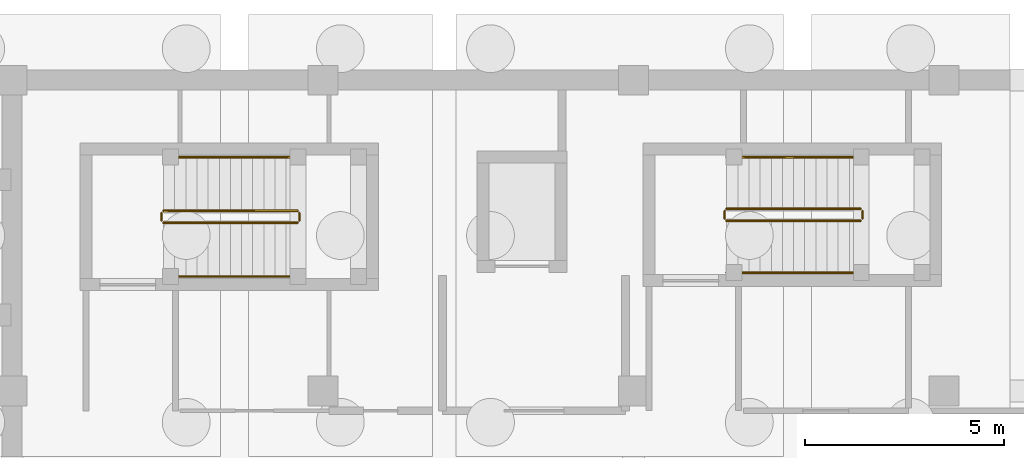
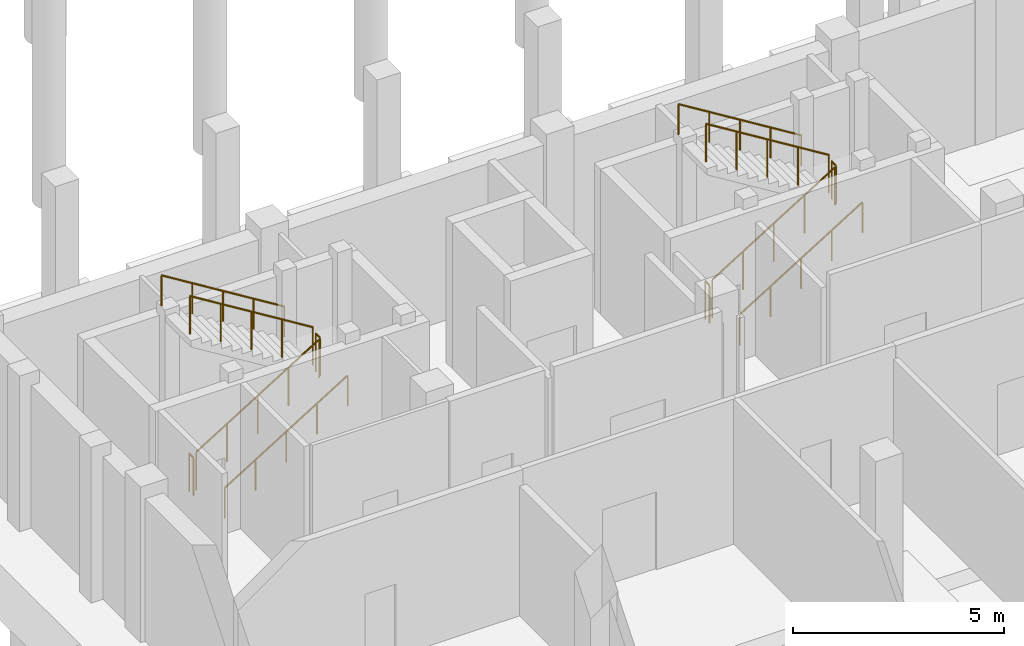
# One storey, part 22 of 24: 12 railings.
"""IFC4 building model written with IfcOpenShell, lengths in metres."""

import ifcopenshell
import ifcopenshell.guid

model = None  # the IFC model being written
_history = None  # IfcOwnerHistory: only IFC2X3 demands one
_inside = {}  # id of a spatial element -> (the spatial element, [elements in it])
_under = {}  # id of a project, library or spatial element -> (it, [spatial elements below it])
_declared = {}  # id of a project -> (the project, [libraries it declares])
_typed = {}  # id of a type object -> (the type object, [elements of that type])
_made_of = {}  # id of a material, layer set ... -> (it, [elements and type objects made of it])


def new_model(schema):
    """Start an empty IFC model of exactly this schema.

    Asked for "IFC4X3", IfcOpenShell would pick the latest addendum, in which some entities
    have other attributes; the version numbers below select the first issue.
    IFC2X3 requires an IfcOwnerHistory on every rooted entity: one is made here for all.
    """
    global model, _history
    if schema == "IFC4X3":
        model = ifcopenshell.file(schema_version=(4, 3, 0, 0))
    else:
        model = ifcopenshell.file(schema=schema)
    _inside.clear()
    _under.clear()
    _declared.clear()
    _typed.clear()
    _made_of.clear()
    _history = None
    if model.schema == "IFC2X3":
        org = make("IfcOrganization", Name="unknown")
        user = make(
            "IfcPersonAndOrganization",
            ThePerson=make("IfcPerson", FamilyName="unknown"),
            TheOrganization=org,
        )
        app = make(
            "IfcApplication",
            ApplicationDeveloper=org,
            Version="unknown",
            ApplicationFullName="unknown",
            ApplicationIdentifier="unknown",
        )
        _history = make(
            "IfcOwnerHistory",
            OwningUser=user,
            OwningApplication=app,
            ChangeAction="ADDED",
            CreationDate=0,
        )
    return model


def make(cls, **values):
    """One entity of the class cls with the attributes given. An attribute that is None is left unset."""
    return model.create_entity(
        cls, **{name: value for name, value in values.items() if value is not None}
    )


def rooted(cls, **values):
    """An entity with a GlobalId (a new one), such as an element, a storey or a relation."""
    return make(cls, GlobalId=ifcopenshell.guid.new(), OwnerHistory=_history, **values)


def si_unit(unit_type, name, prefix=None):
    """IfcSIUnit, for example si_unit("LENGTHUNIT", "METRE", prefix="MILLI")."""
    return make("IfcSIUnit", UnitType=unit_type, Prefix=prefix, Name=name)


def assignment(units):
    """IfcUnitAssignment: the units of a project."""
    return None if units is None else make("IfcUnitAssignment", Units=units)


def point(xyz):
    """IfcCartesianPoint."""
    return None if xyz is None else make("IfcCartesianPoint", Coordinates=xyz)


def direction(xyz):
    """IfcDirection."""
    return None if xyz is None else make("IfcDirection", DirectionRatios=xyz)


def frame(location, z_axis=None, x_axis=None):
    """IfcAxis2Placement3D, a coordinate frame: its origin and axes. An axis left out is left unset."""
    return make(
        "IfcAxis2Placement3D",
        Location=point(location),
        Axis=direction(z_axis),
        RefDirection=direction(x_axis),
    )


def frame_2d(location, x_axis=None):
    """IfcAxis2Placement2D, a coordinate frame in the plane: its origin and x axis."""
    return make(
        "IfcAxis2Placement2D", Location=point(location), RefDirection=direction(x_axis)
    )


def origin():
    """The frame at (0, 0, 0) with its axes left unset."""
    return frame((0.0, 0.0, 0.0))


def origin_2d():
    """The frame at (0, 0) in the plane with its x axis left unset."""
    return frame_2d((0.0, 0.0))


def place(relative_to, where):
    """IfcLocalPlacement: puts the frame where relative to a parent placement (None: the world)."""
    return make(
        "IfcLocalPlacement", PlacementRelTo=relative_to, RelativePlacement=where
    )


def context(
    kind, dimensions, precision=None, world=None, true_north=None, identifier=None
):
    """IfcGeometricRepresentationContext, for example the 3D "Model" context."""
    return make(
        "IfcGeometricRepresentationContext",
        ContextIdentifier=identifier,
        ContextType=kind,
        CoordinateSpaceDimension=dimensions,
        Precision=precision,
        WorldCoordinateSystem=world,
        TrueNorth=true_north,
    )


def subcontext(parent, identifier, kind, view, scale=None):
    """IfcGeometricRepresentationSubContext, for example "Body" below "Model"."""
    return make(
        "IfcGeometricRepresentationSubContext",
        ContextIdentifier=identifier,
        ContextType=kind,
        ParentContext=parent,
        TargetScale=scale,
        TargetView=view,
    )


def project(units=None, contexts=None):
    """IfcProject with its units and contexts."""
    return rooted(
        "IfcProject",
        Name="project",
        RepresentationContexts=contexts,
        UnitsInContext=assignment(units),
    )


def spatial(cls, under=None, at=None, **own):
    """A site, building, storey or space (cls), placed at a placement, below another one or the project."""
    s = rooted(cls, ObjectPlacement=at, **own)
    if under is not None:
        _under.setdefault(under.id(), (under, []))[1].append(s)
    return s


def profile(cls, at=None, kind="AREA", **sizes):
    """A parametric profile (cls). Its sizes go by their IFC names, for example OverallWidth=200.0."""
    return make(cls, ProfileType=kind, Position=at, **sizes)


def circle(**sizes):
    """IfcCircleProfileDef."""
    return profile("IfcCircleProfileDef", **sizes)


def extrude(swept, where, along, depth):
    """IfcExtrudedAreaSolid: the profile swept, set in the frame where, extruded along a direction by depth."""
    return make(
        "IfcExtrudedAreaSolid",
        SweptArea=swept,
        Position=where,
        ExtrudedDirection=direction(along),
        Depth=depth,
    )


def shape(context_of_items, identifier, shape_type, items):
    """IfcShapeRepresentation: the items that make up one representation, for example the "Body"."""
    return make(
        "IfcShapeRepresentation",
        ContextOfItems=context_of_items,
        RepresentationIdentifier=identifier,
        RepresentationType=shape_type,
        Items=items,
    )


def material(Name=None, Category=None):
    """IfcMaterial."""
    return make("IfcMaterial", Name=Name, Category=Category)


def made_of(thing, what):
    """Note that an element or type object is made of a material, layer set ...; save() writes the relation."""
    if what is not None:
        _made_of.setdefault(what.id(), (what, []))[1].append(thing)
    return thing


def type_object(cls, material=None, **own):
    """A type object (cls), such as IfcWallType, which elements share."""
    return made_of(rooted(cls, **own), material)


def element(
    cls,
    number,
    at=None,
    inside=None,
    cuts=None,
    type_object=None,
    material=None,
    context=None,
    identifier="Body",
    shape_type=None,
    held_by="IfcProductDefinitionShape",
    body=None,
    shapes=None,
    **own,
):
    """One element of the class cls, such as IfcWall. Its Tag is "e" and its number.

    at: its placement. inside: the storey or other place that contains it. cuts: it is an
    opening in that element (IfcRelVoidsElement). A single representation is given by context,
    identifier, shape_type and body (its items); several are given by shapes. held_by: the class
    of the entity that holds the representations. save() writes the other relations.
    """
    e = rooted(cls, Tag="e%d" % number, ObjectPlacement=at, **own)
    if body is not None:
        shapes = [shape(context, identifier, shape_type, body)]
    if shapes is not None:
        e.Representation = make(held_by, Representations=shapes)
    if inside is not None:
        _inside.setdefault(inside.id(), (inside, []))[1].append(e)
    if cuts is not None:
        rooted(
            "IfcRelVoidsElement", RelatingBuildingElement=cuts, RelatedOpeningElement=e
        )
    if type_object is not None:
        _typed.setdefault(type_object.id(), (type_object, []))[1].append(e)
    return made_of(e, material)


def aggregate(whole, parts):
    """IfcRelAggregates: a whole, such as a stair, and the parts it consists of."""
    return rooted("IfcRelAggregates", RelatingObject=whole, RelatedObjects=parts)


def save(model, path):
    """Write the relations noted so far, then the file.

    IfcRelAggregates (storeys below a building ...), IfcRelContainedInSpatialStructure (elements
    in a storey), IfcRelDefinesByType, IfcRelAssociatesMaterial and IfcRelDeclares: one each for
    every whole, place, type object, material and project.
    """
    for whole, parts in _under.values():
        aggregate(whole, parts)
    for where, things in _inside.values():
        rooted(
            "IfcRelContainedInSpatialStructure",
            RelatedElements=things,
            RelatingStructure=where,
        )
    for kind, things in _typed.values():
        rooted("IfcRelDefinesByType", RelatedObjects=things, RelatingType=kind)
    for what, things in _made_of.values():
        rooted("IfcRelAssociatesMaterial", RelatedObjects=things, RelatingMaterial=what)
    for by, libraries in _declared.values():
        rooted("IfcRelDeclares", RelatingContext=by, RelatedDefinitions=libraries)
    model.write(path)


model = new_model("IFC4")

# Units and contexts
model_context = context("Model", 3, precision=1e-05, world=origin(), true_north=direction((0.0, 1.0)))
body_context = subcontext(model_context, "Body", "Model", "MODEL_VIEW")
ifc_project = project(units=[si_unit("LENGTHUNIT", "METRE"), si_unit("AREAUNIT", "SQUARE_METRE"), si_unit("VOLUMEUNIT", "CUBIC_METRE"), si_unit("PLANEANGLEUNIT", "RADIAN"), si_unit("MASSUNIT", "GRAM", prefix="KILO")], contexts=[model_context])

# Site, building, storey
site_placement = place(None, origin())
site = spatial("IfcSite", under=ifc_project, at=site_placement, CompositionType="ELEMENT")
building_placement = place(site_placement, origin())
building = spatial("IfcBuilding", under=site, at=building_placement, Name="Celorna Specialist Clinic", CompositionType="ELEMENT")
storey_placement = place(building_placement, frame((0.0, 0.0, -4.5)))
storey = spatial("IfcBuildingStorey", under=building, at=storey_placement, Name="B01", CompositionType="ELEMENT", Elevation=-4.5)

# Railings
ifc_material_1 = material(Name="Powder-coated steel S355", Category="steel")
railing_type_1 = type_object("IfcRailingType", Name="GR-01", PredefinedType="GUARDRAIL", material=ifc_material_1)
railing_1_placement = place(storey_placement, frame((58.39990234375, 39.320068359375, 0.173095703125)))
element("IfcRailing", 1, at=railing_1_placement, inside=storey, type_object=railing_type_1, Name="B01 ST-08 stair guard 1", PredefinedType="GUARDRAIL", context=body_context, shape_type="SweptSolid", body=[
    extrude(circle(Radius=0.02392578125, at=origin_2d()), frame((0.0, 0.0, 1.09619140625), z_axis=(0.850623216509, 0.0, 0.525775754039), x_axis=(0.0, 1.0, 0.0)), (0.0, 0.0, 1.0), 3.9501953125),
    extrude(circle(Radius=0.02099609375, at=origin_2d()), origin(), (0.0, 0.0, 1.0), 1.072021484375),
    extrude(circle(Radius=0.02099609375, at=origin_2d()), frame((0.840087890625, 0.0, 0.519287109375)), (0.0, 0.0, 1.0), 1.072021484375),
    extrude(circle(Radius=0.02099609375, at=origin_2d()), frame((1.68017578125, 0.0, 1.03857421875)), (0.0, 0.0, 1.0), 1.072021484375),
    extrude(circle(Radius=0.02099609375, at=origin_2d()), frame((2.52001953125, 0.0, 1.5576171875)), (0.0, 0.0, 1.0), 1.072021484375),
    extrude(circle(Radius=0.02099609375, at=origin_2d()), frame((3.360107421875, 0.0, 2.076904296875)), (0.0, 0.0, 1.0), 1.072021484375),
])
railing_2_placement = place(storey_placement, frame((61.81005859375, 39.3701171875, 2.25)))
element("IfcRailing", 2, at=railing_2_placement, inside=storey, type_object=railing_type_1, Name="B01 ST-08 stair guard 2", PredefinedType="GUARDRAIL", context=body_context, shape_type="SweptSolid", body=[
    extrude(circle(Radius=0.02392578125, at=origin_2d()), frame((0.0, 0.0, 1.09619140625), z_axis=(0.0, 1.0, 0.0), x_axis=(-1.0, 0.0, 0.0)), (0.0, 0.0, 1.0), 0.199951171875),
    extrude(circle(Radius=0.02099609375, at=origin_2d()), origin(), (0.0, 0.0, 1.0), 1.072021484375),
    extrude(circle(Radius=0.02099609375, at=origin_2d()), frame((0.0, 0.199951171875, 0.0)), (0.0, 0.0, 1.0), 1.072021484375),
])
railing_3_placement = place(storey_placement, frame((61.760009765625, 39.6201171875, 2.423095703125)))
element("IfcRailing", 3, at=railing_3_placement, inside=storey, type_object=railing_type_1, Name="B01 ST-08 stair guard 3", PredefinedType="GUARDRAIL", context=body_context, shape_type="SweptSolid", body=[
    extrude(circle(Radius=0.02392578125, at=origin_2d()), frame((0.0, 0.0, 1.09619140625), z_axis=(-0.850623216509, 0.0, 0.525775754039), x_axis=(0.0, -1.0, 0.0)), (0.0, 0.0, 1.0), 3.9501953125),
    extrude(circle(Radius=0.02099609375, at=origin_2d()), origin(), (0.0, 0.0, 1.0), 1.072021484375),
    extrude(circle(Radius=0.02099609375, at=origin_2d()), frame((-0.840087890625, 0.0, 0.519287109375)), (0.0, 0.0, 1.0), 1.072021484375),
    extrude(circle(Radius=0.02099609375, at=origin_2d()), frame((-1.68017578125, 0.0, 1.03857421875)), (0.0, 0.0, 1.0), 1.072021484375),
    extrude(circle(Radius=0.02099609375, at=origin_2d()), frame((-2.52001953125, 0.0, 1.5576171875)), (0.0, 0.0, 1.0), 1.072021484375),
    extrude(circle(Radius=0.02099609375, at=origin_2d()), frame((-3.360107421875, 0.0, 2.076904296875)), (0.0, 0.0, 1.0), 1.072021484375),
])
railing_4_placement = place(storey_placement, frame((58.35009765625, 39.3701171875, 0.0)))
element("IfcRailing", 4, at=railing_4_placement, inside=storey, type_object=railing_type_1, Name="B01 ST-08 stair guard 4", PredefinedType="GUARDRAIL", context=body_context, shape_type="SweptSolid", body=[
    extrude(circle(Radius=0.02392578125, at=origin_2d()), frame((0.0, 0.0, 1.09619140625), z_axis=(0.0, 1.0, 0.0), x_axis=(-1.0, 0.0, 0.0)), (0.0, 0.0, 1.0), 0.199951171875),
    extrude(circle(Radius=0.02099609375, at=origin_2d()), origin(), (0.0, 0.0, 1.0), 1.072021484375),
    extrude(circle(Radius=0.02099609375, at=origin_2d()), frame((0.0, 0.199951171875, 0.0)), (0.0, 0.0, 1.0), 1.072021484375),
])
railing_5_placement = place(storey_placement, frame((72.5400390625, 39.3701171875, 0.173095703125)))
element("IfcRailing", 5, at=railing_5_placement, inside=storey, type_object=railing_type_1, Name="B01 ST-09 stair guard 1", PredefinedType="GUARDRAIL", context=body_context, shape_type="SweptSolid", body=[
    extrude(circle(Radius=0.02392578125, at=origin_2d()), frame((0.0, 0.0, 1.09619140625), z_axis=(0.850606129759, 0.0, 0.525803396734), x_axis=(0.0, 1.0, 0.0)), (0.0, 0.0, 1.0), 3.949951171875),
    extrude(circle(Radius=0.02099609375, at=origin_2d()), origin(), (0.0, 0.0, 1.0), 1.072021484375),
    extrude(circle(Radius=0.02099609375, at=origin_2d()), frame((0.83984375, 0.0, 0.519287109375)), (0.0, 0.0, 1.0), 1.072021484375),
    extrude(circle(Radius=0.02099609375, at=origin_2d()), frame((1.679931640625, 0.0, 1.03857421875)), (0.0, 0.0, 1.0), 1.072021484375),
    extrude(circle(Radius=0.02099609375, at=origin_2d()), frame((2.52001953125, 0.0, 1.5576171875)), (0.0, 0.0, 1.0), 1.072021484375),
    extrude(circle(Radius=0.02099609375, at=origin_2d()), frame((3.35986328125, 0.0, 2.076904296875)), (0.0, 0.0, 1.0), 1.072021484375),
])
railing_6_placement = place(storey_placement, frame((75.949951171875, 39.419921875, 2.25)))
element("IfcRailing", 6, at=railing_6_placement, inside=storey, type_object=railing_type_1, Name="B01 ST-09 stair guard 2", PredefinedType="GUARDRAIL", context=body_context, shape_type="SweptSolid", body=[
    extrude(circle(Radius=0.02392578125, at=origin_2d()), frame((0.0, 0.0, 1.09619140625), z_axis=(0.0, 1.0, 0.0), x_axis=(-1.0, 0.0, 0.0)), (0.0, 0.0, 1.0), 0.2001953125),
    extrude(circle(Radius=0.02099609375, at=origin_2d()), origin(), (0.0, 0.0, 1.0), 1.072021484375),
    extrude(circle(Radius=0.02099609375, at=origin_2d()), frame((0.0, 0.2001953125, 0.0)), (0.0, 0.0, 1.0), 1.072021484375),
])
railing_7_placement = place(storey_placement, frame((75.89990234375, 39.669921875, 2.423095703125)))
element("IfcRailing", 7, at=railing_7_placement, inside=storey, type_object=railing_type_1, Name="B01 ST-09 stair guard 3", PredefinedType="GUARDRAIL", context=body_context, shape_type="SweptSolid", body=[
    extrude(circle(Radius=0.02392578125, at=origin_2d()), frame((0.0, 0.0, 1.09619140625), z_axis=(-0.850606129759, 0.0, 0.525803396734), x_axis=(0.0, -1.0, 0.0)), (0.0, 0.0, 1.0), 3.949951171875),
    extrude(circle(Radius=0.02099609375, at=origin_2d()), origin(), (0.0, 0.0, 1.0), 1.072021484375),
    extrude(circle(Radius=0.02099609375, at=origin_2d()), frame((-0.83984375, 0.0, 0.519287109375)), (0.0, 0.0, 1.0), 1.072021484375),
    extrude(circle(Radius=0.02099609375, at=origin_2d()), frame((-1.679931640625, 0.0, 1.03857421875)), (0.0, 0.0, 1.0), 1.072021484375),
    extrude(circle(Radius=0.02099609375, at=origin_2d()), frame((-2.52001953125, 0.0, 1.5576171875)), (0.0, 0.0, 1.0), 1.072021484375),
    extrude(circle(Radius=0.02099609375, at=origin_2d()), frame((-3.35986328125, 0.0, 2.076904296875)), (0.0, 0.0, 1.0), 1.072021484375),
])
railing_8_placement = place(storey_placement, frame((72.489990234375, 39.419921875, 0.0)))
element("IfcRailing", 8, at=railing_8_placement, inside=storey, type_object=railing_type_1, Name="B01 ST-09 stair guard 4", PredefinedType="GUARDRAIL", context=body_context, shape_type="SweptSolid", body=[
    extrude(circle(Radius=0.02392578125, at=origin_2d()), frame((0.0, 0.0, 1.09619140625), z_axis=(0.0, 1.0, 0.0), x_axis=(-1.0, 0.0, 0.0)), (0.0, 0.0, 1.0), 0.2001953125),
    extrude(circle(Radius=0.02099609375, at=origin_2d()), origin(), (0.0, 0.0, 1.0), 1.072021484375),
    extrude(circle(Radius=0.02099609375, at=origin_2d()), frame((0.0, 0.2001953125, 0.0)), (0.0, 0.0, 1.0), 1.072021484375),
])
ifc_material_2 = material(Name="Brushed stainless steel handrail", Category="steel")
railing_type_2 = type_object("IfcRailingType", Name="HR-01", PredefinedType="HANDRAIL", material=ifc_material_2)
railing_9_placement = place(storey_placement, frame((58.39990234375, 37.969970703125, 0.173095703125)))
element("IfcRailing", 9, at=railing_9_placement, inside=storey, type_object=railing_type_2, Name="B01 ST-08 stair handrail 1", PredefinedType="HANDRAIL", context=body_context, shape_type="SweptSolid", body=[
    extrude(circle(Radius=0.02392578125, at=origin_2d()), frame((0.0, 0.0, 0.8759765625), z_axis=(0.850623216509, 0.0, 0.525775754039), x_axis=(0.0, 1.0, 0.0)), (0.0, 0.0, 1.0), 3.9501953125),
    extrude(circle(Radius=0.02099609375, at=origin_2d()), origin(), (0.0, 0.0, 1.0), 0.851806640625),
    extrude(circle(Radius=0.02099609375, at=origin_2d()), frame((0.840087890625, 0.0, 0.519287109375)), (0.0, 0.0, 1.0), 0.851806640625),
    extrude(circle(Radius=0.02099609375, at=origin_2d()), frame((1.68017578125, 0.0, 1.03857421875)), (0.0, 0.0, 1.0), 0.851806640625),
    extrude(circle(Radius=0.02099609375, at=origin_2d()), frame((2.52001953125, 0.0, 1.5576171875)), (0.0, 0.0, 1.0), 0.851806640625),
    extrude(circle(Radius=0.02099609375, at=origin_2d()), frame((3.360107421875, 0.0, 2.076904296875)), (0.0, 0.0, 1.0), 0.851806640625),
])
railing_10_placement = place(storey_placement, frame((61.760009765625, 40.969970703125, 2.423095703125)))
element("IfcRailing", 10, at=railing_10_placement, inside=storey, type_object=railing_type_2, Name="B01 ST-08 stair handrail 2", PredefinedType="HANDRAIL", context=body_context, shape_type="SweptSolid", body=[
    extrude(circle(Radius=0.02392578125, at=origin_2d()), frame((0.0, 0.0, 0.8759765625), z_axis=(-0.850623216509, 0.0, 0.525775754039), x_axis=(0.0, -1.0, 0.0)), (0.0, 0.0, 1.0), 3.9501953125),
    extrude(circle(Radius=0.02099609375, at=origin_2d()), origin(), (0.0, 0.0, 1.0), 0.851806640625),
    extrude(circle(Radius=0.02099609375, at=origin_2d()), frame((-0.840087890625, 0.0, 0.519287109375)), (0.0, 0.0, 1.0), 0.851806640625),
    extrude(circle(Radius=0.02099609375, at=origin_2d()), frame((-1.68017578125, 0.0, 1.03857421875)), (0.0, 0.0, 1.0), 0.851806640625),
    extrude(circle(Radius=0.02099609375, at=origin_2d()), frame((-2.52001953125, 0.0, 1.5576171875)), (0.0, 0.0, 1.0), 0.851806640625),
    extrude(circle(Radius=0.02099609375, at=origin_2d()), frame((-3.360107421875, 0.0, 2.076904296875)), (0.0, 0.0, 1.0), 0.851806640625),
])
railing_11_placement = place(storey_placement, frame((72.5400390625, 38.070068359375, 0.173095703125)))
element("IfcRailing", 11, at=railing_11_placement, inside=storey, type_object=railing_type_2, Name="B01 ST-09 stair handrail 1", PredefinedType="HANDRAIL", context=body_context, shape_type="SweptSolid", body=[
    extrude(circle(Radius=0.02392578125, at=origin_2d()), frame((0.0, 0.0, 0.8759765625), z_axis=(0.850606129759, 0.0, 0.525803396734), x_axis=(0.0, 1.0, 0.0)), (0.0, 0.0, 1.0), 3.949951171875),
    extrude(circle(Radius=0.02099609375, at=origin_2d()), origin(), (0.0, 0.0, 1.0), 0.851806640625),
    extrude(circle(Radius=0.02099609375, at=origin_2d()), frame((0.83984375, 0.0, 0.519287109375)), (0.0, 0.0, 1.0), 0.851806640625),
    extrude(circle(Radius=0.02099609375, at=origin_2d()), frame((1.679931640625, 0.0, 1.03857421875)), (0.0, 0.0, 1.0), 0.851806640625),
    extrude(circle(Radius=0.02099609375, at=origin_2d()), frame((2.52001953125, 0.0, 1.5576171875)), (0.0, 0.0, 1.0), 0.851806640625),
    extrude(circle(Radius=0.02099609375, at=origin_2d()), frame((3.35986328125, 0.0, 2.076904296875)), (0.0, 0.0, 1.0), 0.851806640625),
])
railing_12_placement = place(storey_placement, frame((75.89990234375, 40.969970703125, 2.423095703125)))
element("IfcRailing", 12, at=railing_12_placement, inside=storey, type_object=railing_type_2, Name="B01 ST-09 stair handrail 2", PredefinedType="HANDRAIL", context=body_context, shape_type="SweptSolid", body=[
    extrude(circle(Radius=0.02392578125, at=origin_2d()), frame((0.0, 0.0, 0.8759765625), z_axis=(-0.850606129759, 0.0, 0.525803396734), x_axis=(0.0, -1.0, 0.0)), (0.0, 0.0, 1.0), 3.949951171875),
    extrude(circle(Radius=0.02099609375, at=origin_2d()), origin(), (0.0, 0.0, 1.0), 0.851806640625),
    extrude(circle(Radius=0.02099609375, at=origin_2d()), frame((-0.83984375, 0.0, 0.519287109375)), (0.0, 0.0, 1.0), 0.851806640625),
    extrude(circle(Radius=0.02099609375, at=origin_2d()), frame((-1.679931640625, 0.0, 1.03857421875)), (0.0, 0.0, 1.0), 0.851806640625),
    extrude(circle(Radius=0.02099609375, at=origin_2d()), frame((-2.52001953125, 0.0, 1.5576171875)), (0.0, 0.0, 1.0), 0.851806640625),
    extrude(circle(Radius=0.02099609375, at=origin_2d()), frame((-3.35986328125, 0.0, 2.076904296875)), (0.0, 0.0, 1.0), 0.851806640625),
])

save(model, "model.ifc")
